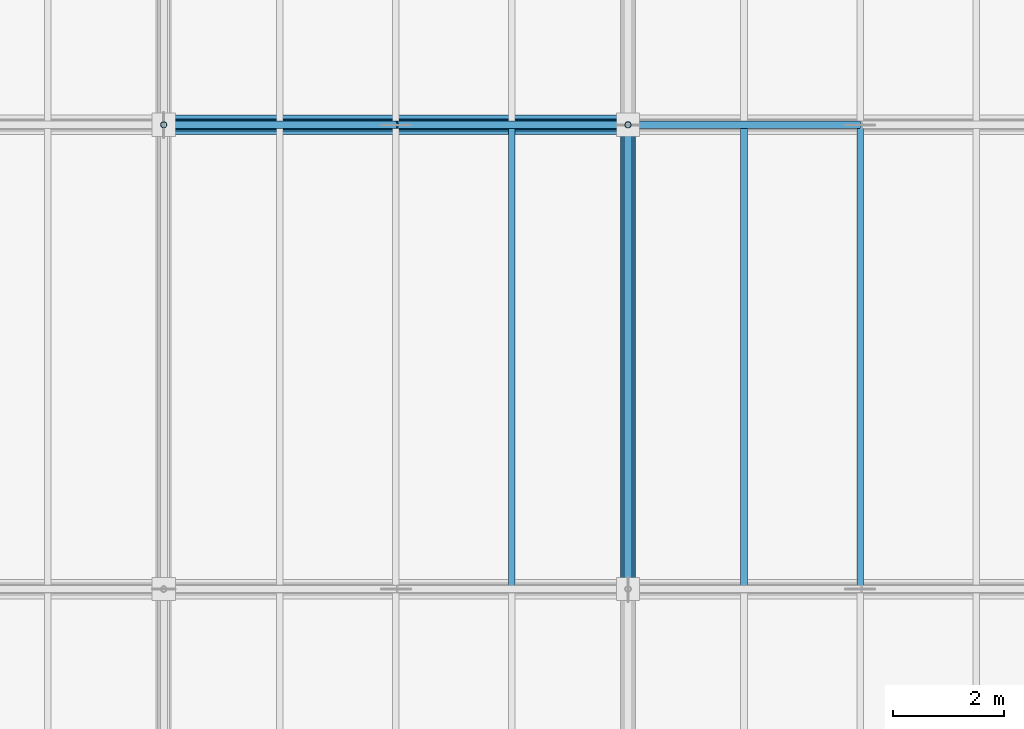
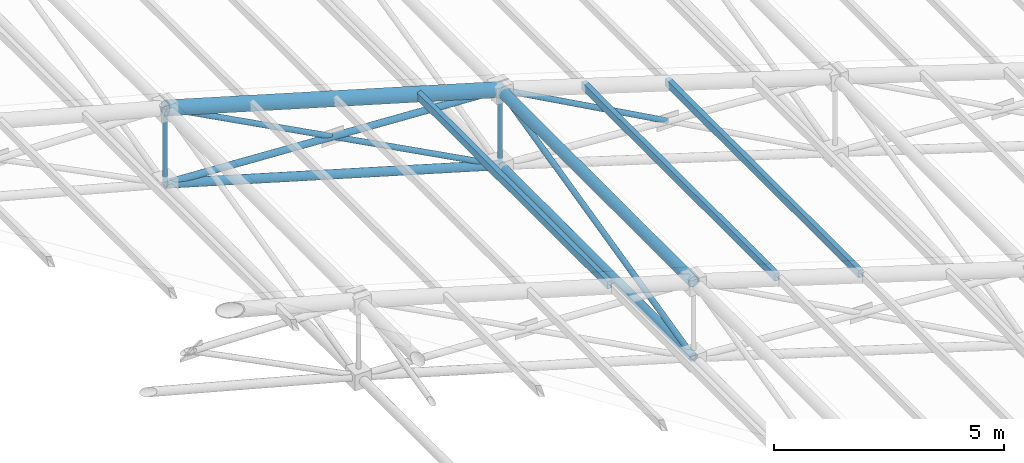
# One storey, part 57 of 144: 14 members.
"""IFC4 building model written with IfcOpenShell, lengths in metres."""

from ifc_helpers import new_model, si_unit, direction, frame, origin, origin_2d, place, context, subcontext, project, spatial, hollow_rectangle, hollow_circle, extrude, material, material_profile, profile_set, type_object, element, save


model = new_model("IFC4")

# Units and contexts
model_context = context("Model", 3, precision=1e-05, world=origin(), true_north=direction((0.0, 1.0)))
body_context = subcontext(model_context, "Body", "Model", "MODEL_VIEW")
ifc_project = project(units=[si_unit("LENGTHUNIT", "METRE"), si_unit("AREAUNIT", "SQUARE_METRE"), si_unit("VOLUMEUNIT", "CUBIC_METRE"), si_unit("PLANEANGLEUNIT", "RADIAN"), si_unit("MASSUNIT", "GRAM", prefix="KILO")], contexts=[model_context])

# Site, building, storey
site_placement = place(None, origin())
site = spatial("IfcSite", under=ifc_project, at=site_placement, CompositionType="ELEMENT")
building_placement = place(site_placement, origin())
building = spatial("IfcBuilding", under=site, at=building_placement, Name="Zayran Congress Hotel", CompositionType="ELEMENT")
storey_placement = place(building_placement, frame((0.0, 0.0, 19.199951171875)))
storey = spatial("IfcBuildingStorey", under=building, at=storey_placement, Name="L04", CompositionType="ELEMENT", Elevation=19.199951171875)

# Members
ifc_material = material(Name="Steel S355", Category="steel")
ifc_material_profile_1 = material_profile(ifc_material, hollow_circle(Radius=0.177734375, WallThickness=0.01611328125, at=origin_2d()), Name="CHS 355.6x16")
ifc_profile_set_1 = profile_set([ifc_material_profile_1], Name="Steel S355")
member_type_1 = type_object("IfcMemberType", Name="TP-SF-TC1", PredefinedType="CHORD", material=ifc_profile_set_1)
member_1_placement = place(storey_placement, frame((58.800048828125, 92.800048828125, 12.35205078125), z_axis=(0.960000625005, 0.0, -0.279997857116), x_axis=(0.0, 1.0, 0.0)))
element("IfcMember", 1, at=member_1_placement, inside=storey, type_object=member_type_1, Name="Space Frame Top Chord X 355", PredefinedType="CHORD", context=body_context, shape_type="SweptSolid", body=[
    extrude(hollow_circle(Radius=0.177734375, WallThickness=0.01611328125, at=origin_2d()), origin(), (0.0, 0.0, 1.0), 8.75),
])
ifc_material_profile_2 = material_profile(ifc_material, hollow_circle(Radius=0.136474609375, WallThickness=0.012451171875, at=origin_2d()), Name="CHS 273x12.5")
ifc_profile_set_2 = profile_set([ifc_material_profile_2], Name="Steel S355")
member_type_2 = type_object("IfcMemberType", Name="TP-SF-TC2", PredefinedType="CHORD", material=ifc_profile_set_2)
member_2_placement = place(storey_placement, frame((67.199951171875, 84.39990234375, 9.902099609375), z_axis=(0.0, 1.0, 0.0), x_axis=(-1.0, 0.0, 0.0)))
element("IfcMember", 2, at=member_2_placement, inside=storey, type_object=member_type_2, Name="Space Frame Top Chord Y 404", PredefinedType="CHORD", context=body_context, shape_type="SweptSolid", body=[
    extrude(hollow_circle(Radius=0.136474609375, WallThickness=0.012451171875, at=origin_2d()), origin(), (0.0, 0.0, 1.0), 8.400146484375),
])
ifc_material_profile_3 = material_profile(ifc_material, hollow_circle(Radius=0.109619140625, WallThickness=0.010009765625, at=origin_2d()), Name="CHS 219.1x10")
ifc_profile_set_3 = profile_set([ifc_material_profile_3], Name="Steel S355")
member_type_3 = type_object("IfcMemberType", Name="TP-SF-BC1", PredefinedType="CHORD", material=ifc_profile_set_3)
member_3_placement = place(storey_placement, frame((58.800048828125, 92.800048828125, 10.35009765625), z_axis=(0.960000625005, 0.0, -0.279997857116), x_axis=(0.0, 1.0, 0.0)))
element("IfcMember", 3, at=member_3_placement, inside=storey, type_object=member_type_3, Name="Space Frame Bottom Chord X 356", PredefinedType="CHORD", context=body_context, shape_type="SweptSolid", body=[
    extrude(hollow_circle(Radius=0.109619140625, WallThickness=0.010009765625, at=origin_2d()), origin(), (0.0, 0.0, 1.0), 8.75),
])
member_4_placement = place(storey_placement, frame((67.199951171875, 84.39990234375, 7.900146484375), z_axis=(0.0, 1.0, 0.0), x_axis=(-1.0, 0.0, 0.0)))
element("IfcMember", 4, at=member_4_placement, inside=storey, type_object=member_type_3, Name="Space Frame Bottom Chord Y 405", PredefinedType="CHORD", context=body_context, shape_type="SweptSolid", body=[
    extrude(hollow_circle(Radius=0.109619140625, WallThickness=0.010009765625, at=origin_2d()), origin(), (0.0, 0.0, 1.0), 8.400146484375),
])
ifc_material_profile_4 = material_profile(ifc_material, hollow_circle(Radius=0.084228515625, WallThickness=0.008056640625, at=origin_2d()), Name="CHS 168.3x8")
ifc_profile_set_4 = profile_set([ifc_material_profile_4], Name="Steel S355")
member_type_4 = type_object("IfcMemberType", Name="TP-SF-DG1", PredefinedType="BRACE", material=ifc_profile_set_4)
member_5_placement = place(storey_placement, frame((58.800048828125, 92.800048828125, 10.35009765625), z_axis=(0.998580784097, 0.0, -0.053258028798), x_axis=(0.0, 1.0, 0.0)))
element("IfcMember", 5, at=member_5_placement, inside=storey, type_object=member_type_4, Name="Space Frame Web Diagonal X 357", PredefinedType="BRACE", context=body_context, shape_type="SweptSolid", body=[
    extrude(hollow_circle(Radius=0.084228515625, WallThickness=0.008056640625, at=origin_2d()), origin(), (0.0, 0.0, 1.0), 8.411865234375),
])
ifc_material_profile_5 = material_profile(ifc_material, hollow_circle(Radius=0.06982421875, WallThickness=0.00634765625, at=origin_2d()), Name="CHS 139.7x6.3")
ifc_profile_set_5 = profile_set([ifc_material_profile_5], Name="Steel S355")
member_type_5 = type_object("IfcMemberType", Name="TP-SF-DG2", PredefinedType="BRACE", material=ifc_profile_set_5)
for number, where, z_axis, x_axis, name in (
    (6, (58.800048828125, 92.800048828125, 12.35205078125), (0.883572260403, 0.0, -0.468294843711), (0.0, 1.0, 0.0), "Space Frame Counter Diagonal X Upper 358"),
    (7, (63.01318359375, 92.800048828125, 10.119140625), (0.883572260403, 0.0, -0.468294843711), (0.0, 1.0, 0.0), "Space Frame Counter Diagonal X Lower 58"),
):
    element("IfcMember", number, at=place(storey_placement, frame(where, z_axis=z_axis, x_axis=x_axis)), inside=storey, type_object=member_type_5, Name=name, PredefinedType="BRACE", context=body_context, shape_type="SweptSolid", body=[
        extrude(hollow_circle(Radius=0.06982421875, WallThickness=0.00634765625, at=origin_2d()), origin(), (0.0, 0.0, 1.0), 4.738525390625),
    ])
member_6_placement = place(storey_placement, frame((67.199951171875, 84.39990234375, 7.900146484375), z_axis=(0.0, 0.972756139537, 0.231830742122), x_axis=(-1.0, 0.0, 0.0)))
element("IfcMember", 8, at=member_6_placement, inside=storey, type_object=member_type_5, Name="Space Frame Web Diagonal Y 406", PredefinedType="BRACE", context=body_context, shape_type="SweptSolid", body=[
    extrude(hollow_circle(Radius=0.06982421875, WallThickness=0.00634765625, at=origin_2d()), origin(), (0.0, 0.0, 1.0), 8.635498046875),
])
member_7_placement = place(storey_placement, frame((67.199951171875, 92.800048828125, 9.902099609375), z_axis=(0.87699109083, 0.0, -0.480506635339), x_axis=(0.0, 1.0, 0.0)))
element("IfcMember", 9, at=member_7_placement, inside=storey, type_object=member_type_5, Name="Space Frame Counter Diagonal X Upper 411", PredefinedType="BRACE", context=body_context, shape_type="SweptSolid", body=[
    extrude(hollow_circle(Radius=0.06982421875, WallThickness=0.00634765625, at=origin_2d()), origin(), (0.0, 0.0, 1.0), 4.77392578125),
])
ifc_material_profile_6 = material_profile(ifc_material, hollow_circle(Radius=0.05712890625, WallThickness=0.00634765625, at=origin_2d()), Name="CHS 114.3x6.3")
ifc_profile_set_6 = profile_set([ifc_material_profile_6], Name="Steel S355")
member_type_6 = type_object("IfcMemberType", Name="TP-SF-DG3", PredefinedType="BRACE", material=ifc_profile_set_6)
for number, where, z_axis, x_axis, name in (
    (10, (58.800048828125, 92.800048828125, 10.35009765625), (0.0, 0.0, 1.0), (0.0, 1.0, 0.0), "Space Frame Web Strut 362"),
    (11, (67.199951171875, 92.800048828125, 7.900146484375), (0.0, 0.0, 1.0), (0.0, 1.0, 0.0), "Space Frame Web Strut 415"),
):
    element("IfcMember", number, at=place(storey_placement, frame(where, z_axis=z_axis, x_axis=x_axis)), inside=storey, type_object=member_type_6, Name=name, PredefinedType="BRACE", context=body_context, shape_type="SweptSolid", body=[
        extrude(hollow_circle(Radius=0.05712890625, WallThickness=0.00634765625, at=origin_2d()), origin(), (0.0, 0.0, 1.0), 2.001953125),
    ])
ifc_material_profile_7 = material_profile(ifc_material, hollow_rectangle(XDim=0.1201171875, YDim=0.199951171875, WallThickness=0.008056640625, at=origin_2d()), Name="RHS 200x120x8")
ifc_profile_set_7 = profile_set([ifc_material_profile_7], Name="Steel S355")
member_type_7 = type_object("IfcMemberType", Name="TP-PR-01", PredefinedType="PURLIN", material=ifc_profile_set_7)
for number, where, z_axis, x_axis, name in (
    (12, (65.10009765625, 84.39990234375, 10.556640625), (0.0, 1.0, 0.0), (-1.0, 0.0, 0.0), "MEM-PR-V1-0123"),
    (13, (69.300048828125, 84.39990234375, 9.2939453125), (0.0, 1.0, 0.0), (-1.0, 0.0, 0.0), "MEM-PR-V1-0129"),
    (14, (71.39990234375, 84.39990234375, 8.64404296875), (0.0, 1.0, 0.0), (-1.0, 0.0, 0.0), "MEM-PR-V1-0135"),
):
    element("IfcMember", number, at=place(storey_placement, frame(where, z_axis=z_axis, x_axis=x_axis)), inside=storey, type_object=member_type_7, Name=name, PredefinedType="PURLIN", context=body_context, shape_type="SweptSolid", body=[
        extrude(hollow_rectangle(XDim=0.1201171875, YDim=0.199951171875, WallThickness=0.008056640625, at=origin_2d()), origin(), (0.0, 0.0, 1.0), 8.400146484375),
    ])

save(model, "model.ifc")
